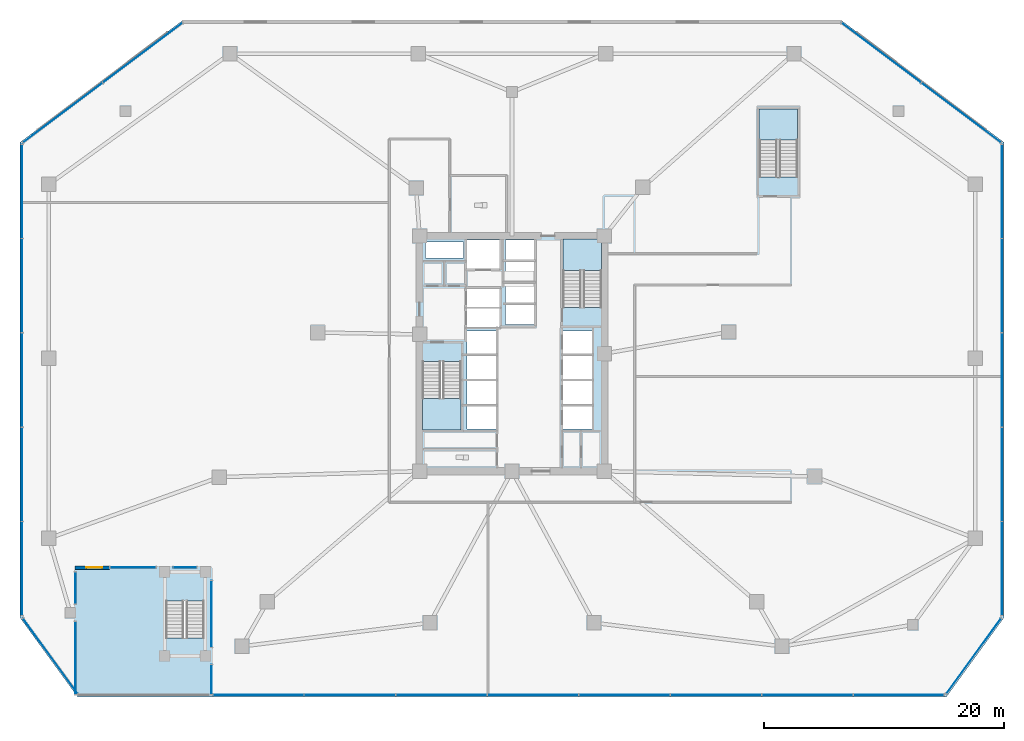
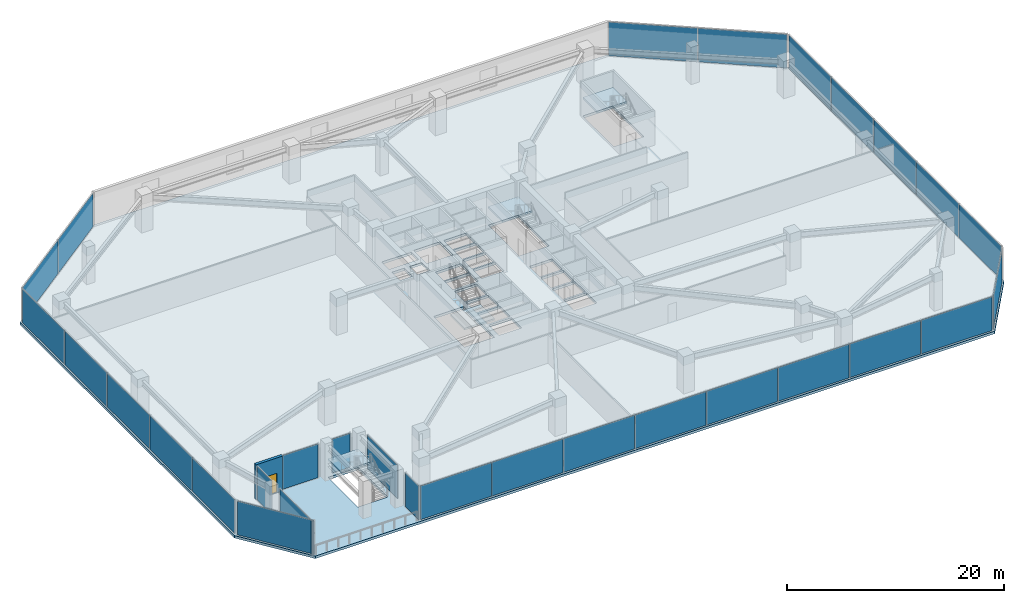
# One storey, part 10 of 21: 30 plates, 5 slabs, 1 door, 1 wall, 1 opening, 17 elements without a shape of their own.
"""IFC4 building model written with IfcOpenShell, lengths in metres."""

from ifc_helpers import new_model, si_unit, direction, frame, frame_2d, origin, origin_2d, place, context, subcontext, project, spatial, polyline, rectangle, outline, extrude, material, layer, layer_set, type_object, element, fill, aggregate, save


model = new_model("IFC4")

# Units and contexts
model_context = context("Model", 3, precision=1e-05, world=origin(), true_north=direction((0.0, 1.0)))
body_context = subcontext(model_context, "Body", "Model", "MODEL_VIEW")
ifc_project = project(units=[si_unit("LENGTHUNIT", "METRE"), si_unit("AREAUNIT", "SQUARE_METRE"), si_unit("VOLUMEUNIT", "CUBIC_METRE"), si_unit("PLANEANGLEUNIT", "RADIAN"), si_unit("MASSUNIT", "GRAM", prefix="KILO")], contexts=[model_context])

# Site, building, storey
site_placement = place(None, origin())
site = spatial("IfcSite", under=ifc_project, at=site_placement, CompositionType="ELEMENT")
building_placement = place(site_placement, origin())
building = spatial("IfcBuilding", under=site, at=building_placement, Name="Savorim Split Tower", CompositionType="ELEMENT")
storey_placement = place(building_placement, frame((0.0, 0.0, 5.0)))
storey = spatial("IfcBuildingStorey", under=building, at=storey_placement, Name="L01", CompositionType="ELEMENT", Elevation=5.0)

# Curtain wall, plate
ifc_material_1 = material(Name="Dark Ceramic-Fritted Insulated Glass", Category="glass")
curtain_wall_type = type_object("IfcCurtainWallType", Name="CW-POD-GLZ", PredefinedType="NOTDEFINED", material=ifc_material_1)
curtain_wall_1_placement = place(storey_placement, origin())
curtain_wall_1 = element("IfcCurtainWall", 1, at=curtain_wall_1_placement, inside=storey, type_object=curtain_wall_type, Name="L01 Curtain Wall CW-L01-E01S1", PredefinedType="NOTDEFINED")
ifc_material_2 = material(Name="Low-E Operable Double Glazing", Category="glass")
ifc_layer_1 = layer(ifc_material_2, 0.031982421875)
ifc_layer_set_1 = layer_set([ifc_layer_1], Name="CWP-POD-32")
plate_type = type_object("IfcPlateType", Name="CWP-POD-32", PredefinedType="CURTAIN_PANEL", material=ifc_layer_set_1)
plate_1_placement = place(storey_placement, frame((-36.360107421875, -24.965087890625, 0.06005859375), z_axis=(0.0, 0.0, 1.0), x_axis=(0.0, 1.0, 0.0)))
plate_1 = element("IfcPlate", 2, at=plate_1_placement, type_object=plate_type, Name="CW-01 panel 1.1", PredefinedType="CURTAIN_PANEL", context=body_context, shape_type="SweptSolid", body=[
    extrude(rectangle(XDim=6.050048828125, YDim=0.031982421875, at=origin_2d()), origin(), (0.0, 0.0, 1.0), 3.800048828125),
])
aggregate(curtain_wall_1, [plate_1])

curtain_wall_2_placement = place(storey_placement, origin())
curtain_wall_2 = element("IfcCurtainWall", 3, at=curtain_wall_2_placement, inside=storey, type_object=curtain_wall_type, Name="L01 Curtain Wall CW-L01-E01S2", PredefinedType="NOTDEFINED")
plate_2_placement = place(storey_placement, frame((-36.360107421875, -19.135009765625, 0.06005859375), z_axis=(0.0, 0.0, 1.0), x_axis=(0.0, 1.0, 0.0)))
plate_2 = element("IfcPlate", 4, at=plate_2_placement, type_object=plate_type, Name="CW-01 panel 1.1", PredefinedType="CURTAIN_PANEL", context=body_context, shape_type="SweptSolid", body=[
    extrude(rectangle(XDim=2.64990234375, YDim=0.031982421875, at=origin_2d()), origin(), (0.0, 0.0, 1.0), 3.800048828125),
])
aggregate(curtain_wall_2, [plate_2])

curtain_wall_3_placement = place(storey_placement, origin())
curtain_wall_3 = element("IfcCurtainWall", 5, at=curtain_wall_3_placement, inside=storey, type_object=curtain_wall_type, Name="L01 Curtain Wall CW-L01-E02S1", PredefinedType="NOTDEFINED")
plate_3_placement = place(storey_placement, frame((-31.590087890625, -17.43994140625, 0.06005859375), z_axis=(0.0, 0.0, 1.0), x_axis=(1.0, 0.0, 0.0)))
plate_3 = element("IfcPlate", 6, at=plate_3_placement, type_object=plate_type, Name="CW-01 panel 1.1", PredefinedType="CURTAIN_PANEL", context=body_context, shape_type="SweptSolid", body=[
    extrude(rectangle(XDim=3.800048828125, YDim=0.031982421875, at=origin_2d()), origin(), (0.0, 0.0, 1.0), 3.800048828125),
])
aggregate(curtain_wall_3, [plate_3])

curtain_wall_4_placement = place(storey_placement, origin())
curtain_wall_4 = element("IfcCurtainWall", 7, at=curtain_wall_4_placement, inside=storey, type_object=curtain_wall_type, Name="L01 Curtain Wall CW-L01-E02S2", PredefinedType="NOTDEFINED")
plate_4_placement = place(storey_placement, frame((-27.25, -17.43994140625, 0.06005859375), z_axis=(0.0, 0.0, 1.0), x_axis=(1.0, 0.0, 0.0)))
plate_4 = element("IfcPlate", 8, at=plate_4_placement, type_object=plate_type, Name="CW-01 panel 1.1", PredefinedType="CURTAIN_PANEL", context=body_context, shape_type="SweptSolid", body=[
    extrude(rectangle(XDim=1.919921875, YDim=0.031982421875, at=origin_2d()), origin(), (0.0, 0.0, 1.0), 3.800048828125),
])
aggregate(curtain_wall_4, [plate_4])

curtain_wall_5_placement = place(storey_placement, origin())
curtain_wall_5 = element("IfcCurtainWall", 9, at=curtain_wall_5_placement, inside=storey, type_object=curtain_wall_type, Name="L01 Curtain Wall CW-L01-E03S1", PredefinedType="NOTDEFINED")
plate_5_placement = place(storey_placement, frame((-25.0400390625, -21.300048828125, 0.06005859375), z_axis=(0.0, 0.0, 1.0), x_axis=(0.0, -1.0, 0.0)))
plate_5 = element("IfcPlate", 10, at=plate_5_placement, type_object=plate_type, Name="CW-01 panel 1.1", PredefinedType="CURTAIN_PANEL", context=body_context, shape_type="SweptSolid", body=[
    extrude(rectangle(XDim=5.52001953125, YDim=0.031982421875, at=origin_2d()), origin(), (0.0, 0.0, 1.0), 3.800048828125),
])
aggregate(curtain_wall_5, [plate_5])

curtain_wall_6_placement = place(storey_placement, origin())
curtain_wall_6 = element("IfcCurtainWall", 11, at=curtain_wall_6_placement, inside=storey, type_object=curtain_wall_type, Name="L01 Curtain Wall CW-L01-E03S2", PredefinedType="NOTDEFINED")
plate_6_placement = place(storey_placement, frame((-25.0400390625, -26.764892578125, 0.06005859375), z_axis=(0.0, 0.0, 1.0), x_axis=(0.0, -1.0, 0.0)))
plate_6 = element("IfcPlate", 12, at=plate_6_placement, type_object=plate_type, Name="CW-01 panel 1.1", PredefinedType="CURTAIN_PANEL", context=body_context, shape_type="SweptSolid", body=[
    extrude(rectangle(XDim=2.449951171875, YDim=0.031982421875, at=origin_2d()), origin(), (0.0, 0.0, 1.0), 3.800048828125),
])
aggregate(curtain_wall_6, [plate_6])

# Curtain wall, plates
curtain_wall_7_placement = place(storey_placement, origin())
curtain_wall_7 = element("IfcCurtainWall", 13, at=curtain_wall_7_placement, inside=storey, type_object=curtain_wall_type, Name="L01 Curtain Wall CW-L01-E04", PredefinedType="NOTDEFINED")
plate_7_placement = place(storey_placement, frame((-21.1240234375, -28.0400390625, 0.06005859375), z_axis=(0.0, 0.0, 1.0), x_axis=(1.0, 0.0, 0.0)))
plate_7 = element("IfcPlate", 14, at=plate_7_placement, type_object=plate_type, Name="CW-01 panel 1.1", PredefinedType="CURTAIN_PANEL", context=body_context, shape_type="SweptSolid", body=[
    extrude(rectangle(XDim=7.52197265625, YDim=0.031982421875, at=origin_2d()), origin(), (0.0, 0.0, 1.0), 3.800048828125),
])
plate_8_placement = place(storey_placement, frame((-13.5146484375, -28.0400390625, 0.06005859375), z_axis=(0.0, 0.0, 1.0), x_axis=(1.0, 0.0, 0.0)))
plate_8 = element("IfcPlate", 15, at=plate_8_placement, type_object=plate_type, Name="CW-01 panel 2.1", PredefinedType="CURTAIN_PANEL", context=body_context, shape_type="SweptSolid", body=[
    extrude(rectangle(XDim=7.556884765625, YDim=0.031982421875, at=origin_2d()), origin(), (0.0, 0.0, 1.0), 3.800048828125),
])
plate_9_placement = place(storey_placement, frame((-5.8876953125, -28.0400390625, 0.06005859375), z_axis=(0.0, 0.0, 1.0), x_axis=(1.0, 0.0, 0.0)))
plate_9 = element("IfcPlate", 16, at=plate_9_placement, type_object=plate_type, Name="CW-01 panel 3.1", PredefinedType="CURTAIN_PANEL", context=body_context, shape_type="SweptSolid", body=[
    extrude(rectangle(XDim=7.556884765625, YDim=0.031982421875, at=origin_2d()), origin(), (0.0, 0.0, 1.0), 3.800048828125),
])
plate_10_placement = place(storey_placement, frame((1.739013671875, -28.0400390625, 0.06005859375), z_axis=(0.0, 0.0, 1.0), x_axis=(1.0, 0.0, 0.0)))
plate_10 = element("IfcPlate", 17, at=plate_10_placement, type_object=plate_type, Name="CW-01 panel 4.1", PredefinedType="CURTAIN_PANEL", context=body_context, shape_type="SweptSolid", body=[
    extrude(rectangle(XDim=7.556884765625, YDim=0.031982421875, at=origin_2d()), origin(), (0.0, 0.0, 1.0), 3.800048828125),
])
plate_11_placement = place(storey_placement, frame((9.365966796875, -28.0400390625, 0.06005859375), z_axis=(0.0, 0.0, 1.0), x_axis=(1.0, 0.0, 0.0)))
plate_11 = element("IfcPlate", 18, at=plate_11_placement, type_object=plate_type, Name="CW-01 panel 5.1", PredefinedType="CURTAIN_PANEL", context=body_context, shape_type="SweptSolid", body=[
    extrude(rectangle(XDim=7.556884765625, YDim=0.031982421875, at=origin_2d()), origin(), (0.0, 0.0, 1.0), 3.800048828125),
])
plate_12_placement = place(storey_placement, frame((16.992919921875, -28.0400390625, 0.06005859375), z_axis=(0.0, 0.0, 1.0), x_axis=(1.0, 0.0, 0.0)))
plate_12 = element("IfcPlate", 19, at=plate_12_placement, type_object=plate_type, Name="CW-01 panel 6.1", PredefinedType="CURTAIN_PANEL", context=body_context, shape_type="SweptSolid", body=[
    extrude(rectangle(XDim=7.556884765625, YDim=0.031982421875, at=origin_2d()), origin(), (0.0, 0.0, 1.0), 3.800048828125),
])
plate_13_placement = place(storey_placement, frame((24.61962890625, -28.0400390625, 0.06005859375), z_axis=(0.0, 0.0, 1.0), x_axis=(1.0, 0.0, 0.0)))
plate_13 = element("IfcPlate", 20, at=plate_13_placement, type_object=plate_type, Name="CW-01 panel 7.1", PredefinedType="CURTAIN_PANEL", context=body_context, shape_type="SweptSolid", body=[
    extrude(rectangle(XDim=7.556884765625, YDim=0.031982421875, at=origin_2d()), origin(), (0.0, 0.0, 1.0), 3.800048828125),
])
plate_14_placement = place(storey_placement, frame((32.22900390625, -28.0400390625, 0.06005859375), z_axis=(0.0, 0.0, 1.0), x_axis=(1.0, 0.0, 0.0)))
plate_14 = element("IfcPlate", 21, at=plate_14_placement, type_object=plate_type, Name="CW-01 panel 8.1", PredefinedType="CURTAIN_PANEL", context=body_context, shape_type="SweptSolid", body=[
    extrude(rectangle(XDim=7.52197265625, YDim=0.031982421875, at=origin_2d()), origin(), (0.0, 0.0, 1.0), 3.800048828125),
])
aggregate(curtain_wall_7, [plate_7, plate_8, plate_9, plate_10, plate_11, plate_12, plate_13, plate_14])

# Curtain wall, plate
curtain_wall_8_placement = place(storey_placement, origin())
curtain_wall_8 = element("IfcCurtainWall", 22, at=curtain_wall_8_placement, inside=storey, type_object=curtain_wall_type, Name="L01 Curtain Wall CW-L01-E05", PredefinedType="NOTDEFINED")
plate_15_placement = place(storey_placement, frame((38.470703125, -24.805908203125, 0.06005859375), z_axis=(0.0, 0.0, 1.0), x_axis=(0.588176224478, 0.808732792063, 0.0)))
plate_15 = element("IfcPlate", 23, at=plate_15_placement, type_object=plate_type, Name="CW-01 panel 1.1", PredefinedType="CURTAIN_PANEL", context=body_context, shape_type="SweptSolid", body=[
    extrude(rectangle(XDim=7.740966796875, YDim=0.031982421875, at=origin_2d()), origin(), (0.0, 0.0, 1.0), 3.800048828125),
])
aggregate(curtain_wall_8, [plate_15])

# Curtain wall, plates
curtain_wall_9_placement = place(storey_placement, origin())
curtain_wall_9 = element("IfcCurtainWall", 24, at=curtain_wall_9_placement, inside=storey, type_object=curtain_wall_type, Name="L01 Curtain Wall CW-L01-E06", PredefinedType="NOTDEFINED")
plate_16_placement = place(storey_placement, frame((40.840087890625, -17.510498046875, 0.06005859375), z_axis=(0.0, 0.0, 1.0), x_axis=(0.0, 1.0, 0.0)))
plate_16 = element("IfcPlate", 25, at=plate_16_placement, type_object=plate_type, Name="CW-01 panel 1.1", PredefinedType="CURTAIN_PANEL", context=body_context, shape_type="SweptSolid", body=[
    extrude(rectangle(XDim=7.759033203125, YDim=0.031982421875, at=origin_2d()), origin(), (0.0, 0.0, 1.0), 3.800048828125),
])
plate_17_placement = place(storey_placement, frame((40.840087890625, -9.6640625, 0.06005859375), z_axis=(0.0, 0.0, 1.0), x_axis=(0.0, 1.0, 0.0)))
plate_17 = element("IfcPlate", 26, at=plate_17_placement, type_object=plate_type, Name="CW-01 panel 2.1", PredefinedType="CURTAIN_PANEL", context=body_context, shape_type="SweptSolid", body=[
    extrude(rectangle(XDim=7.7939453125, YDim=0.031982421875, at=origin_2d()), origin(), (0.0, 0.0, 1.0), 3.800048828125),
])
plate_18_placement = place(storey_placement, frame((40.840087890625, -1.800048828125, 0.06005859375), z_axis=(0.0, 0.0, 1.0), x_axis=(0.0, 1.0, 0.0)))
plate_18 = element("IfcPlate", 27, at=plate_18_placement, type_object=plate_type, Name="CW-01 panel 3.1", PredefinedType="CURTAIN_PANEL", context=body_context, shape_type="SweptSolid", body=[
    extrude(rectangle(XDim=7.7939453125, YDim=0.031982421875, at=origin_2d()), origin(), (0.0, 0.0, 1.0), 3.800048828125),
])
plate_19_placement = place(storey_placement, frame((40.840087890625, 6.06396484375, 0.06005859375), z_axis=(0.0, 0.0, 1.0), x_axis=(0.0, 1.0, 0.0)))
plate_19 = element("IfcPlate", 28, at=plate_19_placement, type_object=plate_type, Name="CW-01 panel 4.1", PredefinedType="CURTAIN_PANEL", context=body_context, shape_type="SweptSolid", body=[
    extrude(rectangle(XDim=7.7939453125, YDim=0.031982421875, at=origin_2d()), origin(), (0.0, 0.0, 1.0), 3.800048828125),
])
plate_20_placement = place(storey_placement, frame((40.840087890625, 13.910400390625, 0.06005859375), z_axis=(0.0, 0.0, 1.0), x_axis=(0.0, 1.0, 0.0)))
plate_20 = element("IfcPlate", 29, at=plate_20_placement, type_object=plate_type, Name="CW-01 panel 5.1", PredefinedType="CURTAIN_PANEL", context=body_context, shape_type="SweptSolid", body=[
    extrude(rectangle(XDim=7.759033203125, YDim=0.031982421875, at=origin_2d()), origin(), (0.0, 0.0, 1.0), 3.800048828125),
])
aggregate(curtain_wall_9, [plate_16, plate_17, plate_18, plate_19, plate_20])

curtain_wall_10_placement = place(storey_placement, origin())
curtain_wall_10 = element("IfcCurtainWall", 30, at=curtain_wall_10_placement, inside=storey, type_object=curtain_wall_type, Name="L01 Curtain Wall CW-L01-E07", PredefinedType="NOTDEFINED")
plate_21_placement = place(storey_placement, frame((37.43408203125, 20.474609375, 0.06005859375), z_axis=(0.0, 0.0, 1.0), x_axis=(-0.799999999998, 0.600000000002, 0.0)))
plate_21 = element("IfcPlate", 31, at=plate_21_placement, type_object=plate_type, Name="CW-01 panel 1.1", PredefinedType="CURTAIN_PANEL", context=body_context, shape_type="SweptSolid", body=[
    extrude(rectangle(XDim=8.2548828125, YDim=0.031982421875, at=origin_2d()), origin(), (0.0, 0.0, 1.0), 3.800048828125),
])
plate_22_placement = place(storey_placement, frame((30.77392578125, 25.469482421875, 0.06005859375), z_axis=(0.0, 0.0, 1.0), x_axis=(-0.799999999998, 0.600000000002, 0.0)))
plate_22 = element("IfcPlate", 32, at=plate_22_placement, type_object=plate_type, Name="CW-01 panel 2.1", PredefinedType="CURTAIN_PANEL", context=body_context, shape_type="SweptSolid", body=[
    extrude(rectangle(XDim=8.2548828125, YDim=0.031982421875, at=origin_2d()), origin(), (0.0, 0.0, 1.0), 3.800048828125),
])
aggregate(curtain_wall_10, [plate_21, plate_22])

curtain_wall_11_placement = place(storey_placement, origin())
curtain_wall_11 = element("IfcCurtainWall", 33, at=curtain_wall_11_placement, inside=storey, type_object=curtain_wall_type, Name="L01 Curtain Wall CW-L01-E09", PredefinedType="NOTDEFINED")
plate_23_placement = place(storey_placement, frame((-30.77392578125, 25.469482421875, 0.06005859375), z_axis=(0.0, 0.0, 1.0), x_axis=(-0.799999999998, -0.600000000002, 0.0)))
plate_23 = element("IfcPlate", 34, at=plate_23_placement, type_object=plate_type, Name="CW-01 panel 1.1", PredefinedType="CURTAIN_PANEL", context=body_context, shape_type="SweptSolid", body=[
    extrude(rectangle(XDim=8.2548828125, YDim=0.031982421875, at=origin_2d()), origin(), (0.0, 0.0, 1.0), 3.800048828125),
])
plate_24_placement = place(storey_placement, frame((-37.43408203125, 20.474609375, 0.06005859375), z_axis=(0.0, 0.0, 1.0), x_axis=(-0.799999999998, -0.600000000002, 0.0)))
plate_24 = element("IfcPlate", 35, at=plate_24_placement, type_object=plate_type, Name="CW-01 panel 2.1", PredefinedType="CURTAIN_PANEL", context=body_context, shape_type="SweptSolid", body=[
    extrude(rectangle(XDim=8.2548828125, YDim=0.031982421875, at=origin_2d()), origin(), (0.0, 0.0, 1.0), 3.800048828125),
])
aggregate(curtain_wall_11, [plate_23, plate_24])

curtain_wall_12_placement = place(storey_placement, origin())
curtain_wall_12 = element("IfcCurtainWall", 36, at=curtain_wall_12_placement, inside=storey, type_object=curtain_wall_type, Name="L01 Curtain Wall CW-L01-E10", PredefinedType="NOTDEFINED")
plate_25_placement = place(storey_placement, frame((-40.840087890625, 13.910400390625, 0.06005859375), z_axis=(0.0, 0.0, 1.0), x_axis=(0.0, -1.0, 0.0)))
plate_25 = element("IfcPlate", 37, at=plate_25_placement, type_object=plate_type, Name="CW-01 panel 1.1", PredefinedType="CURTAIN_PANEL", context=body_context, shape_type="SweptSolid", body=[
    extrude(rectangle(XDim=7.759033203125, YDim=0.031982421875, at=origin_2d()), origin(), (0.0, 0.0, 1.0), 3.800048828125),
])
plate_26_placement = place(storey_placement, frame((-40.840087890625, 6.06396484375, 0.06005859375), z_axis=(0.0, 0.0, 1.0), x_axis=(0.0, -1.0, 0.0)))
plate_26 = element("IfcPlate", 38, at=plate_26_placement, type_object=plate_type, Name="CW-01 panel 2.1", PredefinedType="CURTAIN_PANEL", context=body_context, shape_type="SweptSolid", body=[
    extrude(rectangle(XDim=7.7939453125, YDim=0.031982421875, at=origin_2d()), origin(), (0.0, 0.0, 1.0), 3.800048828125),
])
plate_27_placement = place(storey_placement, frame((-40.840087890625, -1.800048828125, 0.06005859375), z_axis=(0.0, 0.0, 1.0), x_axis=(0.0, -1.0, 0.0)))
plate_27 = element("IfcPlate", 39, at=plate_27_placement, type_object=plate_type, Name="CW-01 panel 3.1", PredefinedType="CURTAIN_PANEL", context=body_context, shape_type="SweptSolid", body=[
    extrude(rectangle(XDim=7.7939453125, YDim=0.031982421875, at=origin_2d()), origin(), (0.0, 0.0, 1.0), 3.800048828125),
])
plate_28_placement = place(storey_placement, frame((-40.840087890625, -9.6640625, 0.06005859375), z_axis=(0.0, 0.0, 1.0), x_axis=(0.0, -1.0, 0.0)))
plate_28 = element("IfcPlate", 40, at=plate_28_placement, type_object=plate_type, Name="CW-01 panel 4.1", PredefinedType="CURTAIN_PANEL", context=body_context, shape_type="SweptSolid", body=[
    extrude(rectangle(XDim=7.7939453125, YDim=0.031982421875, at=origin_2d()), origin(), (0.0, 0.0, 1.0), 3.800048828125),
])
plate_29_placement = place(storey_placement, frame((-40.840087890625, -17.510498046875, 0.06005859375), z_axis=(0.0, 0.0, 1.0), x_axis=(0.0, -1.0, 0.0)))
plate_29 = element("IfcPlate", 41, at=plate_29_placement, type_object=plate_type, Name="CW-01 panel 5.1", PredefinedType="CURTAIN_PANEL", context=body_context, shape_type="SweptSolid", body=[
    extrude(rectangle(XDim=7.759033203125, YDim=0.031982421875, at=origin_2d()), origin(), (0.0, 0.0, 1.0), 3.800048828125),
])
aggregate(curtain_wall_12, [plate_25, plate_26, plate_27, plate_28, plate_29])

# Curtain wall, plate
curtain_wall_13_placement = place(storey_placement, origin())
curtain_wall_13 = element("IfcCurtainWall", 42, at=curtain_wall_13_placement, inside=storey, type_object=curtain_wall_type, Name="L01 Curtain Wall CW-L01-E11", PredefinedType="NOTDEFINED")
plate_30_placement = place(storey_placement, frame((-38.470703125, -24.805908203125, 0.06005859375), z_axis=(0.0, 0.0, 1.0), x_axis=(0.588176224478, -0.808732792063, 0.0)))
plate_30 = element("IfcPlate", 43, at=plate_30_placement, type_object=plate_type, Name="CW-01 panel 1.1", PredefinedType="CURTAIN_PANEL", context=body_context, shape_type="SweptSolid", body=[
    extrude(rectangle(XDim=7.740966796875, YDim=0.031982421875, at=origin_2d()), origin(), (0.0, 0.0, 1.0), 3.800048828125),
])
aggregate(curtain_wall_13, [plate_30])

# Stair, slab
ifc_material_3 = material(Name="Concrete C50/60", Category="concrete")
stair_type = type_object("IfcStairType", Name="STR-DOG-4200", PredefinedType="HALF_TURN_STAIR", material=ifc_material_3)
stair_1_placement = place(storey_placement, origin())
stair_1 = element("IfcStair", 44, at=stair_1_placement, inside=storey, type_object=stair_type, Name="L01 Core Protected Exit Stair ST-1", PredefinedType="HALF_TURN_STAIR")
ifc_layer_2 = layer(ifc_material_3, 0.199951171875)
ifc_layer_set_2 = layer_set([ifc_layer_2], Name="SLB-LND-200")
slab_type_1 = type_object("IfcSlabType", Name="SLB-LND-200", PredefinedType="LANDING", material=ifc_layer_set_2)
slab_1_placement = place(storey_placement, frame((0.0, 0.0, 1.89990234375)))
slab_1 = element("IfcSlab", 45, at=slab_1_placement, type_object=slab_type_1, Name="ST-1 landing 1", PredefinedType="LANDING", context=body_context, shape_type="SweptSolid", body=[
    extrude(outline(polyline([(-7.449951171875, -3.330078125), (-7.449951171875, -5.949951171875), (-4.25, -5.949951171875), (-4.25, -3.330078125), (-7.449951171875, -3.330078125)])), origin(), (0.0, 0.0, 1.0), 0.2001953125),
])
aggregate(stair_1, [slab_1])

stair_2_placement = place(storey_placement, origin())
stair_2 = element("IfcStair", 46, at=stair_2_placement, inside=storey, type_object=stair_type, Name="L01 Core Protected Exit Stair ST-2", PredefinedType="HALF_TURN_STAIR")
slab_2_placement = place(storey_placement, frame((0.0, 0.0, 1.89990234375)))
slab_2 = element("IfcSlab", 47, at=slab_2_placement, type_object=slab_type_1, Name="ST-2 landing 1", PredefinedType="LANDING", context=body_context, shape_type="SweptSolid", body=[
    extrude(outline(polyline([(7.449951171875, 7.330078125), (7.449951171875, 9.949951171875), (4.25, 9.949951171875), (4.25, 7.330078125), (7.449951171875, 7.330078125)])), origin(), (0.0, 0.0, 1.0), 0.2001953125),
])
aggregate(stair_2, [slab_2])

stair_3_placement = place(storey_placement, origin())
stair_3 = element("IfcStair", 48, at=stair_3_placement, inside=storey, type_object=stair_type, Name="L01 Podium Protected Garden Exit Stair ST-3", PredefinedType="HALF_TURN_STAIR")
slab_3_placement = place(storey_placement, frame((0.0, 0.0, 1.89990234375)))
slab_3 = element("IfcSlab", 49, at=slab_3_placement, type_object=slab_type_1, Name="ST-3 landing 1", PredefinedType="LANDING", context=body_context, shape_type="SweptSolid", body=[
    extrude(outline(polyline([(23.800048828125, 18.179931640625), (23.800048828125, 20.800048828125), (20.60009765625, 20.800048828125), (20.60009765625, 18.179931640625), (23.800048828125, 18.179931640625)])), origin(), (0.0, 0.0, 1.0), 0.2001953125),
])
aggregate(stair_3, [slab_3])

stair_4_placement = place(storey_placement, origin())
stair_4 = element("IfcStair", 50, at=stair_4_placement, inside=storey, type_object=stair_type, Name="L01 Exterior Stepped Public Garden Stair ST-GDN", PredefinedType="HALF_TURN_STAIR")
slab_4_placement = place(storey_placement, frame((0.0, 0.0, 1.89990234375)))
slab_4 = element("IfcSlab", 51, at=slab_4_placement, type_object=slab_type_1, Name="ST-GDN landing 1", PredefinedType="LANDING", context=body_context, shape_type="SweptSolid", body=[
    extrude(outline(polyline([(-25.64990234375, -20.219970703125), (-25.64990234375, -17.800048828125), (-28.85009765625, -17.800048828125), (-28.85009765625, -20.219970703125), (-25.64990234375, -20.219970703125)])), origin(), (0.0, 0.0, 1.0), 0.2001953125),
])
aggregate(stair_4, [slab_4])

# Slab
ifc_layer_3 = layer(ifc_material_3, 0.280029296875)
ifc_layer_set_3 = layer_set([ifc_layer_3], Name="SLB-POD-280")
slab_type_2 = type_object("IfcSlabType", Name="SLB-POD-280", PredefinedType="FLOOR", material=ifc_layer_set_3)
slab_5_placement = place(storey_placement, frame((0.0, 0.0, -0.280029296875)))
element("IfcSlab", 52, at=slab_5_placement, inside=storey, type_object=slab_type_2, Name="L01 Podium Structural Floor Slab", PredefinedType="FLOOR", context=body_context, shape_type="SweptSolid", body=[
    extrude(outline(polyline([(-36.199951171875, -28.199951171875), (36.199951171875, -28.199951171875), (41.0, -21.60009765625), (41.0, 18.0), (27.39990234375, 28.199951171875), (-27.39990234375, 28.199951171875), (-41.0, 18.0), (-41.0, -21.60009765625), (-36.199951171875, -28.199951171875)]), holes=[polyline([(-7.449951171875, -0.25390625), (-7.449951171875, -5.949951171875), (-4.25, -5.949951171875), (-4.25, -0.25390625), (-7.449951171875, -0.25390625)]), polyline([(7.449951171875, 4.25390625), (7.449951171875, 9.949951171875), (4.25, 9.949951171875), (4.25, 4.25390625), (7.449951171875, 4.25390625)]), polyline([(23.800048828125, 15.10400390625), (23.800048828125, 20.800048828125), (20.60009765625, 20.800048828125), (20.60009765625, 15.10400390625), (23.800048828125, 15.10400390625)]), polyline([(-25.64990234375, -23.2958984375), (-25.64990234375, -17.800048828125), (-28.85009765625, -17.800048828125), (-28.85009765625, -23.2958984375), (-25.64990234375, -23.2958984375)]), polyline([(4.25, -5.89990234375), (6.64990234375, -5.89990234375), (6.64990234375, -4.0), (4.25, -4.0), (4.25, -5.89990234375)]), polyline([(4.25, -3.800048828125), (6.64990234375, -3.800048828125), (6.64990234375, -1.89990234375), (4.25, -1.89990234375), (4.25, -3.800048828125)]), polyline([(4.25, -1.699951171875), (6.64990234375, -1.699951171875), (6.64990234375, 0.199951171875), (4.25, 0.199951171875), (4.25, -1.699951171875)]), polyline([(4.25, 0.39990234375), (6.64990234375, 0.39990234375), (6.64990234375, 2.300048828125), (4.25, 2.300048828125), (4.25, 0.39990234375)]), polyline([(-3.75, -5.89990234375), (-1.35009765625, -5.89990234375), (-1.35009765625, -4.0), (-3.75, -4.0), (-3.75, -5.89990234375)]), polyline([(-3.75, -3.800048828125), (-1.35009765625, -3.800048828125), (-1.35009765625, -1.89990234375), (-3.75, -1.89990234375), (-3.75, -3.800048828125)]), polyline([(-3.75, -1.699951171875), (-1.35009765625, -1.699951171875), (-1.35009765625, 0.199951171875), (-3.75, 0.199951171875), (-3.75, -1.699951171875)]), polyline([(-3.75, 0.39990234375), (-1.35009765625, 0.39990234375), (-1.35009765625, 2.300048828125), (-3.75, 2.300048828125), (-3.75, 0.39990234375)]), polyline([(-0.550048828125, 2.830078125), (1.85009765625, 2.830078125), (1.85009765625, 4.469970703125), (-0.550048828125, 4.469970703125), (-0.550048828125, 2.830078125)]), polyline([(-0.550048828125, 4.6298828125), (1.85009765625, 4.6298828125), (1.85009765625, 6.27001953125), (-0.550048828125, 6.27001953125), (-0.550048828125, 4.6298828125)]), polyline([(-0.550048828125, 6.429931640625), (1.85009765625, 6.429931640625), (1.85009765625, 8.070068359375), (-0.550048828125, 8.070068359375), (-0.550048828125, 6.429931640625)]), polyline([(-0.550048828125, 8.22998046875), (1.85009765625, 8.22998046875), (1.85009765625, 9.8701171875), (-0.550048828125, 9.8701171875), (-0.550048828125, 8.22998046875)]), polyline([(-3.75, 2.60009765625), (-1.050048828125, 2.60009765625), (-1.050048828125, 4.159912109375), (-3.75, 4.159912109375), (-3.75, 2.60009765625)]), polyline([(-3.75, 4.280029296875), (-1.050048828125, 4.280029296875), (-1.050048828125, 5.840087890625), (-3.75, 5.840087890625), (-3.75, 4.280029296875)]), polyline([(-3.75, 7.449951171875), (-0.949951171875, 7.449951171875), (-0.949951171875, 9.85009765625), (-3.75, 9.85009765625), (-3.75, 7.449951171875)]), polyline([(-7.219970703125, 6.320068359375), (-5.919921875, 6.320068359375), (-5.919921875, 7.820068359375), (-7.219970703125, 7.820068359375), (-7.219970703125, 6.320068359375)]), polyline([(-5.3798828125, 6.320068359375), (-4.050048828125, 6.320068359375), (-4.050048828125, 7.820068359375), (-5.3798828125, 7.820068359375), (-5.3798828125, 6.320068359375)]), polyline([(-7.219970703125, 8.360107421875), (-4.050048828125, 8.360107421875), (-4.050048828125, 9.719970703125), (-7.219970703125, 9.719970703125), (-7.219970703125, 8.360107421875)])]), origin(), (0.0, 0.0, 1.0), 0.280029296875),
])

# Wall, opening, door
ifc_layer_4 = layer(ifc_material_3, 0.300048828125)
ifc_layer_set_4 = layer_set([ifc_layer_4], Name="WAL-EXT-POD300")
wall_type = type_object("IfcWallType", Name="WAL-EXT-POD300", PredefinedType="SOLIDWALL", material=ifc_layer_set_4)
wall_placement = place(storey_placement, frame((-33.56005859375, -17.43994140625, 0.0), z_axis=(0.0, 0.0, 1.0), x_axis=(-1.0, 0.0, 0.0)))
wall = element("IfcWall", 53, at=wall_placement, inside=storey, type_object=wall_type, Name="L01 Stepped Garden Stair Court Door Pier", PredefinedType="SOLIDWALL", context=body_context, shape_type="SweptSolid", body=[
    extrude(rectangle(XDim=2.83984375, YDim=0.300048828125, at=frame_2d((1.419921875, 0.0))), origin(), (0.0, 0.0, 1.0), 3.919921875),
])
opening_placement = place(wall_placement, frame((0.60009765625, 0.0, 0.0)))
opening = element("IfcOpeningElement", 54, at=opening_placement, cuts=wall, Name="Opening DG-01", PredefinedType="OPENING", context=body_context, shape_type="SweptSolid", body=[
    extrude(rectangle(XDim=1.300048828125, YDim=2.199951171875, at=frame_2d((0.64990234375, 1.10009765625))), frame((0.0, 0.159912109375, 0.0), z_axis=(0.0, -1.0, 0.0), x_axis=(1.0, 0.0, 0.0)), (0.0, 0.0, 1.0), 0.320068359375),
])
ifc_material_4 = material(Name="Charcoal Anodised Aluminium", Category="aluminium")
door_type = type_object("IfcDoorType", Name="DOR-GDN-1300", OperationType="NOTDEFINED", PredefinedType="DOOR", material=ifc_material_4)
door_placement = place(opening_placement, origin())
door = element("IfcDoor", 55, at=door_placement, inside=storey, type_object=door_type, Name="DOR-L01-GDNCRT - L01 Exterior Garden Stair Terrace Door", OperationType="SINGLE_SWING_RIGHT", OverallHeight=2.199951171875, OverallWidth=1.300048828125, PredefinedType="DOOR", context=body_context, shape_type="SweptSolid", body=[
    extrude(rectangle(XDim=1.300048828125, YDim=2.199951171875, at=frame_2d((0.64990234375, 1.10009765625))), frame((0.0, 0.02490234375, 0.0), z_axis=(0.0, -1.0, 0.0), x_axis=(1.0, 0.0, 0.0)), (0.0, 0.0, 1.0), 0.050048828125),
])
fill(opening, door)

save(model, "model.ifc")
